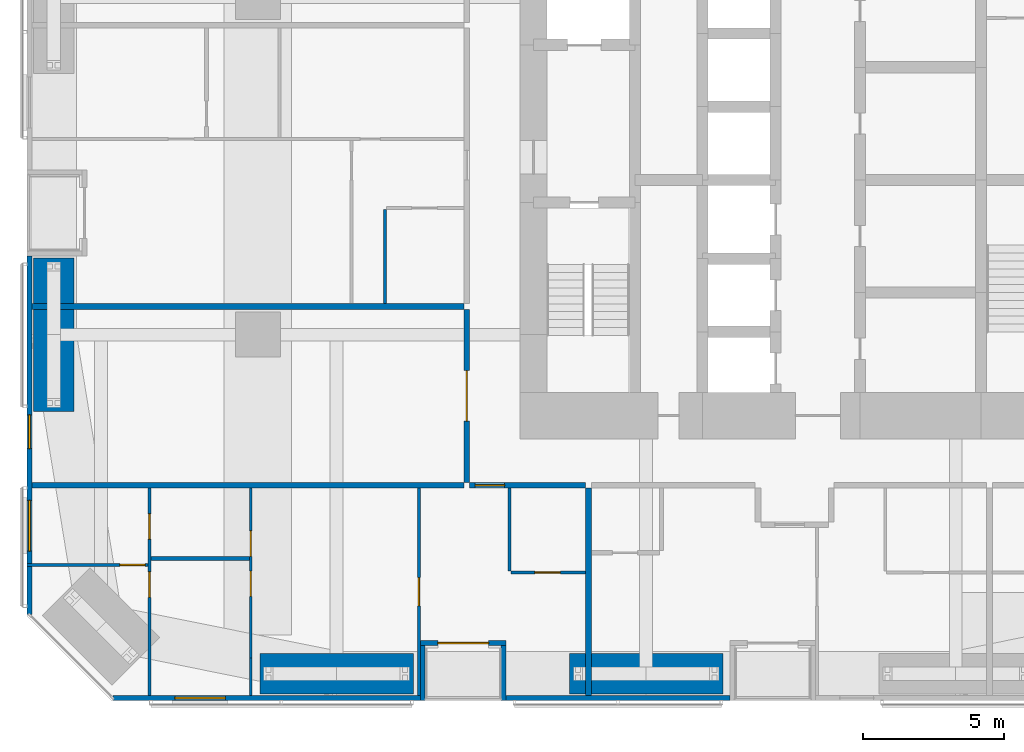
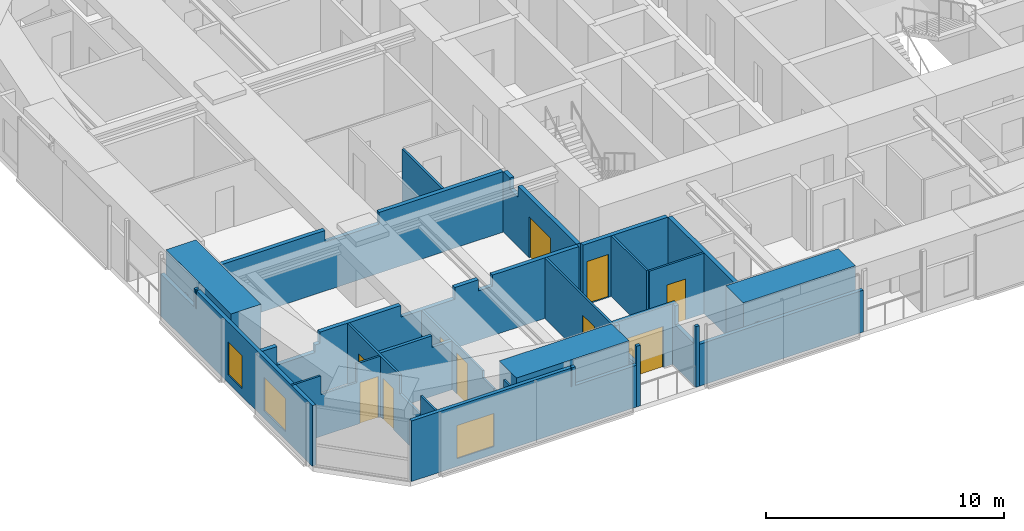
# One storey, part 16 of 23: 23 walls, 10 doors, 3 windows, 13 openings.
"""IFC4 building model written with IfcOpenShell, lengths in metres."""

from ifc_helpers import new_model, si_unit, direction, frame, frame_2d, origin, place, context, subcontext, project, spatial, polyline, rectangle, outline, extrude, material, layer, layer_set, constituent, constituent_set, type_object, element, fill, save


model = new_model("IFC4")

# Units and contexts
model_context = context("Model", 3, precision=1e-05, world=origin(), true_north=direction((0.0, 1.0)))
body_context = subcontext(model_context, "Body", "Model", "MODEL_VIEW")
ifc_project = project(units=[si_unit("LENGTHUNIT", "METRE"), si_unit("AREAUNIT", "SQUARE_METRE"), si_unit("VOLUMEUNIT", "CUBIC_METRE"), si_unit("PLANEANGLEUNIT", "RADIAN"), si_unit("MASSUNIT", "GRAM", prefix="KILO")], contexts=[model_context])

# Site, building, storey
site_placement = place(None, origin())
site = spatial("IfcSite", under=ifc_project, at=site_placement, CompositionType="ELEMENT")
building_placement = place(site_placement, origin())
building = spatial("IfcBuilding", under=site, at=building_placement, Name="Jalousie Tower", CompositionType="ELEMENT")
storey_placement = place(building_placement, frame((0.0, 0.0, 37.75)))
storey = spatial("IfcBuildingStorey", under=building, at=storey_placement, Name="L09", CompositionType="ELEMENT", Elevation=37.75)

# Wall
ifc_material_1 = material(Name="Concrete block ASTM C90", Category="concrete")
ifc_constituent_1 = constituent(ifc_material_1, Name="Body")
ifc_material_2 = material(Name="Render")
ifc_constituent_2 = constituent(ifc_material_2, Name="Finish")
ifc_constituent_set_1 = constituent_set(constituents=[ifc_constituent_1, ifc_constituent_2])
wall_type_1 = type_object("IfcWallType", Name="BATHROOM WALL 150", PredefinedType="PLUMBINGWALL", material=ifc_constituent_set_1)
wall_1_placement = place(storey_placement, frame((6.39990234375, 5.050048828125, 0.0), z_axis=(0.0, 0.0, 1.0), x_axis=(1.0, 0.0, 0.0)))
element("IfcWall", 1, at=wall_1_placement, inside=storey, type_object=wall_type_1, Name="Bathroom Wall 150 L09", PredefinedType="PLUMBINGWALL", context=body_context, shape_type="SweptSolid", body=[
    extrude(outline(polyline([(0.0, 0.0), (3.5, 0.0), (3.5, 3.110107421875), (3.5, 2.510009765625), (2.514892578125, 2.510009765625), (2.514892578125, 3.110107421875), (0.0, 3.110107421875), (0.0, 0.0)])), frame((0.0, 0.074951171875, 0.0), z_axis=(0.0, -1.0, 0.0), x_axis=(1.0, 0.0, 0.0)), (0.0, 0.0, 1.0), 0.14990234375),
])

# Wall, opening, door
ifc_material_3 = material(Name="Concrete block ASTM C90", Category="concrete")
ifc_constituent_3 = constituent(ifc_material_3, Name="Body")
ifc_material_4 = material(Name="Render")
ifc_constituent_4 = constituent(ifc_material_4, Name="Finish")
ifc_constituent_set_2 = constituent_set(constituents=[ifc_constituent_3, ifc_constituent_4])
wall_type_2 = type_object("IfcWallType", Name="CORRIDOR WALL 200", PredefinedType="PARTITIONING", material=ifc_constituent_set_2)
wall_2_placement = place(storey_placement, frame((17.72509765625, 7.64990234375, 0.0), z_axis=(0.0, 0.0, 1.0), x_axis=(1.0, 0.0, 0.0)))
wall_2 = element("IfcWall", 2, at=wall_2_placement, inside=storey, type_object=wall_type_2, Name="Corridor Wall 200 L09", PredefinedType="PARTITIONING", context=body_context, shape_type="SweptSolid", body=[
    extrude(rectangle(XDim=4.125, YDim=0.199951171875, at=frame_2d((2.0625, 0.0))), origin(), (0.0, 0.0, 1.0), 3.110107421875),
])
opening_1_placement = place(wall_2_placement, frame((0.199951171875, 0.0, 0.0)))
opening_1 = element("IfcOpeningElement", 3, at=opening_1_placement, cuts=wall_2, Name="Opening D1", PredefinedType="OPENING", context=body_context, shape_type="SweptSolid", body=[
    extrude(rectangle(XDim=1.050048828125, YDim=2.199951171875, at=frame_2d((0.52490234375, 1.10009765625))), frame((0.0, 0.10986328125, 0.0), z_axis=(0.0, -1.0, 0.0), x_axis=(1.0, 0.0, 0.0)), (0.0, 0.0, 1.0), 0.219970703125),
])
ifc_material_5 = material(Name="Timber fire door", Category="wood")
door_type_1 = type_object("IfcDoorType", Name="APARTMENT ENTRANCE DOOR 1050", OperationType="SINGLE_SWING_LEFT", PredefinedType="DOOR", material=ifc_material_5)
door_1_placement = place(opening_1_placement, frame((1.050048828125, 0.0, 0.0), z_axis=(0.0, 0.0, 1.0), x_axis=(-1.0, 0.0, 0.0)))
door_1 = element("IfcDoor", 4, at=door_1_placement, inside=storey, type_object=door_type_1, Name="Apartment 0901 entrance", OperationType="SINGLE_SWING_LEFT", OverallHeight=2.199951171875, OverallWidth=1.050048828125, PredefinedType="DOOR", context=body_context, shape_type="SweptSolid", body=[
    extrude(rectangle(XDim=1.050048828125, YDim=2.199951171875, at=frame_2d((0.52490234375, 1.10009765625))), frame((0.0, 0.02490234375, 0.0), z_axis=(0.0, -1.0, 0.0), x_axis=(1.0, 0.0, 0.0)), (0.0, 0.0, 1.0), 0.050048828125),
])
fill(opening_1, door_1)

wall_3_placement = place(storey_placement, frame((17.625, 7.75, 0.0), z_axis=(0.0, 0.0, 1.0), x_axis=(0.0, 1.0, 0.0)))
wall_3 = element("IfcWall", 5, at=wall_3_placement, inside=storey, type_object=wall_type_2, Name="Corridor Wall 200 L09", PredefinedType="PARTITIONING", context=body_context, shape_type="SweptSolid", body=[
    extrude(outline(polyline([(0.0, 0.0), (6.14990234375, 0.0), (6.14990234375, 3.110107421875), (5.58740234375, 3.110107421875), (5.58740234375, 2.541015625), (4.91259765625, 2.541015625), (4.91259765625, 3.110107421875), (0.0, 3.110107421875), (0.0, 0.0)])), frame((0.0, 0.10009765625, 0.0), z_axis=(0.0, -1.0, 0.0), x_axis=(1.0, 0.0, 0.0)), (0.0, 0.0, 1.0), 0.199951171875),
])
opening_2_placement = place(wall_3_placement, frame((2.175048828125, 0.0, 0.0)))
opening_2 = element("IfcOpeningElement", 6, at=opening_2_placement, cuts=wall_3, Name="Opening D22", PredefinedType="OPENING", context=body_context, shape_type="SweptSolid", body=[
    extrude(rectangle(XDim=1.800048828125, YDim=2.10009765625, at=frame_2d((0.89990234375, 1.050048828125))), frame((0.0, 0.10986328125, 0.0), z_axis=(0.0, -1.0, 0.0), x_axis=(1.0, 0.0, 0.0)), (0.0, 0.0, 1.0), 0.219970703125),
])
ifc_material_6 = material(Name="Timber fire door", Category="wood")
door_type_2 = type_object("IfcDoorType", Name="CORRIDOR DOUBLE DOOR 1800", OperationType="DOUBLE_DOOR_SINGLE_SWING", PredefinedType="DOOR", material=ifc_material_6)
door_2_placement = place(opening_2_placement, origin())
door_2 = element("IfcDoor", 7, at=door_2_placement, inside=storey, type_object=door_type_2, Name="Residents' co-working room door", OperationType="DOUBLE_DOOR_SINGLE_SWING", OverallHeight=2.10009765625, OverallWidth=1.800048828125, PredefinedType="DOOR", context=body_context, shape_type="SweptSolid", body=[
    extrude(rectangle(XDim=1.800048828125, YDim=2.10009765625, at=frame_2d((0.89990234375, 1.050048828125))), frame((0.0, 0.02490234375, 0.0), z_axis=(0.0, -1.0, 0.0), x_axis=(1.0, 0.0, 0.0)), (0.0, 0.0, 1.0), 0.050048828125),
])
fill(opening_2, door_2)

# Wall, opening, window
ifc_material_7 = material(Name="Concrete f'c 40 MPa", Category="concrete")
ifc_constituent_5 = constituent(ifc_material_7, Name="Body")
ifc_material_8 = material(Name="Render, pastel coral")
ifc_constituent_6 = constituent(ifc_material_8, Name="Finish")
ifc_constituent_set_3 = constituent_set(constituents=[ifc_constituent_5, ifc_constituent_6])
wall_type_3 = type_object("IfcWallType", Name="EXTERNAL WALL 175 CORAL RENDER", PredefinedType="SOLIDWALL", material=ifc_constituent_set_3)
wall_4_placement = place(storey_placement, frame((5.05126953125, 0.08740234375, 0.0), z_axis=(0.0, 0.0, 1.0), x_axis=(1.0, 0.0, 0.0)))
wall_4 = element("IfcWall", 8, at=wall_4_placement, inside=storey, type_object=wall_type_3, Name="External Wall 175 Coral Render L09", PredefinedType="SOLIDWALL", context=body_context, shape_type="SweptSolid", body=[
    extrude(outline(polyline([(0.0, 0.0), (10.923828125, 0.0), (10.923583984375, 2.14990234375), (7.94873046875, 2.14990234375), (7.94873046875, 3.110107421875), (7.79296875, 3.110107421875), (7.79296875, 2.14990234375), (7.74462890625, 2.14990234375), (7.74462890625, 3.110107421875), (0.0, 3.110107421875), (0.0, 0.0)])), frame((0.0, 0.08740234375, 0.0), z_axis=(0.0, -1.0, 0.0), x_axis=(1.0, 0.0, 0.0)), (0.0, 0.0, 1.0), 0.175048828125),
])
opening_3_placement = place(wall_4_placement, frame((2.19873046875, 0.0, 0.39990234375)))
opening_3 = element("IfcOpeningElement", 9, at=opening_3_placement, cuts=wall_4, Name="Opening W-BED170", PredefinedType="OPENING", context=body_context, shape_type="SweptSolid", body=[
    extrude(rectangle(XDim=1.800048828125, YDim=1.699951171875, at=frame_2d((0.89990234375, 0.85009765625))), frame((0.0, 0.097412109375, 0.0), z_axis=(0.0, -1.0, 0.0), x_axis=(1.0, 0.0, 0.0)), (0.0, 0.0, 1.0), 0.195068359375),
])
ifc_material_9 = material(Name="Aluminium frame, impact-rated glazing", Category="aluminium")
window_type_1 = type_object("IfcWindowType", Name="WINDOW BED 1800x1700", PartitioningType="SINGLE_PANEL", PredefinedType="WINDOW", material=ifc_material_9)
window_1_placement = place(opening_3_placement, origin())
window_1 = element("IfcWindow", 10, at=window_1_placement, inside=storey, type_object=window_type_1, Name="Apartment 0901 bedroom 2 window", OverallHeight=1.699951171875, OverallWidth=1.800048828125, PartitioningType="SINGLE_PANEL", PredefinedType="WINDOW", context=body_context, shape_type="SweptSolid", body=[
    extrude(rectangle(XDim=1.800048828125, YDim=1.699951171875, at=frame_2d((0.89990234375, 0.85009765625))), frame((0.0, 0.030029296875, 0.0), z_axis=(0.0, -1.0, 0.0), x_axis=(1.0, 0.0, 0.0)), (0.0, 0.0, 1.0), 0.06005859375),
])
fill(opening_3, window_1)

# Wall
wall_5_placement = place(storey_placement, frame((19.02490234375, 0.08740234375, 0.0), z_axis=(0.0, 0.0, 1.0), x_axis=(1.0, 0.0, 0.0)))
element("IfcWall", 11, at=wall_5_placement, inside=storey, type_object=wall_type_3, Name="External Wall 175 Coral Render L09", PredefinedType="SOLIDWALL", context=body_context, shape_type="SweptSolid", body=[
    extrude(rectangle(XDim=7.9501953125, YDim=0.175048828125, at=frame_2d((3.97509765625, 0.0))), origin(), (0.0, 0.0, 1.0), 2.14990234375),
])

# Wall, opening, door
wall_6_placement = place(storey_placement, frame((15.97509765625, 2.03759765625, 0.0), z_axis=(0.0, 0.0, 1.0), x_axis=(1.0, 0.0, 0.0)))
wall_6 = element("IfcWall", 12, at=wall_6_placement, inside=storey, type_object=wall_type_3, Name="External Wall 175 Coral Render L09", PredefinedType="SOLIDWALL", context=body_context, shape_type="SweptSolid", body=[
    extrude(rectangle(XDim=3.0498046875, YDim=0.175048828125, at=frame_2d((1.52490234375, 0.0))), origin(), (0.0, 0.0, 1.0), 3.110107421875),
])
opening_4_placement = place(wall_6_placement, frame((0.625, 0.0, 0.0)))
opening_4 = element("IfcOpeningElement", 13, at=opening_4_placement, cuts=wall_6, Name="Opening D-BAL21", PredefinedType="OPENING", context=body_context, shape_type="SweptSolid", body=[
    extrude(rectangle(XDim=1.800048828125, YDim=2.10009765625, at=frame_2d((0.89990234375, 1.050048828125))), frame((0.0, 0.097412109375, 0.0), z_axis=(0.0, -1.0, 0.0), x_axis=(1.0, 0.0, 0.0)), (0.0, 0.0, 1.0), 0.195068359375),
])
ifc_material_10 = material(Name="Aluminium frame, impact-rated glazing", Category="aluminium")
door_type_3 = type_object("IfcDoorType", Name="BALCONY DOOR 1800x2100", OperationType="SLIDING_TO_LEFT", PredefinedType="DOOR", material=ifc_material_10)
door_3_placement = place(opening_4_placement, origin())
door_3 = element("IfcDoor", 14, at=door_3_placement, inside=storey, type_object=door_type_3, Name="Apartment 0901 living room loggia door", OperationType="SLIDING_TO_LEFT", OverallHeight=2.10009765625, OverallWidth=1.800048828125, PredefinedType="DOOR", context=body_context, shape_type="SweptSolid", body=[
    extrude(rectangle(XDim=1.800048828125, YDim=2.10009765625, at=frame_2d((0.89990234375, 1.050048828125))), frame((0.0, 0.02490234375, 0.0), z_axis=(0.0, -1.0, 0.0), x_axis=(1.0, 0.0, 0.0)), (0.0, 0.0, 1.0), 0.050048828125),
])
fill(opening_4, door_3)

# Walls
for number, where, z_axis, x_axis, name in (
    (15, (16.0625, 0.0, 0.0), (0.0, 0.0, 1.0), (0.0, 1.0, 0.0), "External Wall 175 Coral Render L09"),
    (16, (18.9375, 0.0, 0.0), (0.0, 0.0, 1.0), (0.0, 1.0, 0.0), "External Wall 175 Coral Render L09"),
):
    element("IfcWall", number, at=place(storey_placement, frame(where, z_axis=z_axis, x_axis=x_axis)), inside=storey, type_object=wall_type_3, Name=name, PredefinedType="SOLIDWALL", context=body_context, shape_type="SweptSolid", body=[
        extrude(outline(polyline([(0.0, 0.0), (1.949951171875, 0.0), (1.949951171875, 3.110107421875), (1.75, 3.110107421875), (1.75, 2.14990234375), (0.14990234375, 2.14990234375), (0.14990234375, 3.110107421875), (0.0, 3.110107421875), (0.0, 0.0)])), frame((0.0, 0.08740234375, 0.0), z_axis=(0.0, -1.0, 0.0), x_axis=(1.0, 0.0, 0.0)), (0.0, 0.0, 1.0), 0.175048828125),
    ])

# Wall, openings, windows
wall_7_placement = place(storey_placement, frame((2.08740234375, 15.800048828125, 0.0), z_axis=(0.0, 0.0, 1.0), x_axis=(0.0, -1.0, 0.0)))
wall_7 = element("IfcWall", 17, at=wall_7_placement, inside=storey, type_object=wall_type_3, Name="External Wall 175 Coral Render L09", PredefinedType="SOLIDWALL", context=body_context, shape_type="SweptSolid", body=[
    extrude(outline(polyline([(0.0, 0.0), (12.748779296875, 0.0), (12.748779296875, 3.110107421875), (3.0185546875, 3.110107421875), (3.0185546875, 2.14990234375), (2.92578125, 2.14990234375), (2.92578125, 3.110107421875), (2.800048828125, 3.110107421875), (2.800048828125, 2.14990234375), (0.0, 2.14990234375), (0.0, 0.0)])), frame((0.0, 0.08740234375, 0.0), z_axis=(0.0, -1.0, 0.0), x_axis=(1.0, 0.0, 0.0)), (0.0, 0.0, 1.0), 0.175048828125),
])
opening_5_placement = place(wall_7_placement, frame((5.64990234375, 0.0, 0.39990234375)))
opening_5 = element("IfcOpeningElement", 18, at=opening_5_placement, cuts=wall_7, Name="Opening W-COR170", PredefinedType="OPENING", context=body_context, shape_type="SweptSolid", body=[
    extrude(rectangle(XDim=1.199951171875, YDim=1.699951171875, at=frame_2d((0.60009765625, 0.85009765625))), frame((0.0, 0.097412109375, 0.0), z_axis=(0.0, -1.0, 0.0), x_axis=(1.0, 0.0, 0.0)), (0.0, 0.0, 1.0), 0.195068359375),
])
opening_6_placement = place(wall_7_placement, frame((8.69140625, 0.0, 0.39990234375)))
opening_6 = element("IfcOpeningElement", 19, at=opening_6_placement, cuts=wall_7, Name="Opening W-BED170", PredefinedType="OPENING", context=body_context, shape_type="SweptSolid", body=[
    extrude(rectangle(XDim=1.800048828125, YDim=1.699951171875, at=frame_2d((0.89990234375, 0.85009765625))), frame((0.0, 0.097412109375, 0.0), z_axis=(0.0, -1.0, 0.0), x_axis=(1.0, 0.0, 0.0)), (0.0, 0.0, 1.0), 0.195068359375),
])
window_2_placement = place(opening_6_placement, origin())
window_2 = element("IfcWindow", 20, at=window_2_placement, inside=storey, type_object=window_type_1, Name="Apartment 0901 bedroom 1 window", OverallHeight=1.699951171875, OverallWidth=1.800048828125, PartitioningType="SINGLE_PANEL", PredefinedType="WINDOW", context=body_context, shape_type="SweptSolid", body=[
    extrude(rectangle(XDim=1.800048828125, YDim=1.699951171875, at=frame_2d((0.89990234375, 0.85009765625))), frame((0.0, 0.030029296875, 0.0), z_axis=(0.0, -1.0, 0.0), x_axis=(1.0, 0.0, 0.0)), (0.0, 0.0, 1.0), 0.06005859375),
])
fill(opening_6, window_2)
ifc_material_11 = material(Name="Aluminium frame, impact-rated glazing", Category="aluminium")
window_type_2 = type_object("IfcWindowType", Name="WINDOW COR 1200x1700", PartitioningType="SINGLE_PANEL", PredefinedType="WINDOW", material=ifc_material_11)
window_3_placement = place(opening_5_placement, origin())
window_3 = element("IfcWindow", 21, at=window_3_placement, inside=storey, type_object=window_type_2, Name="Residents' co-working room window", OverallHeight=1.699951171875, OverallWidth=1.199951171875, PartitioningType="SINGLE_PANEL", PredefinedType="WINDOW", context=body_context, shape_type="SweptSolid", body=[
    extrude(rectangle(XDim=1.199951171875, YDim=1.699951171875, at=frame_2d((0.60009765625, 0.85009765625))), frame((0.0, 0.030029296875, 0.0), z_axis=(0.0, -1.0, 0.0), x_axis=(1.0, 0.0, 0.0)), (0.0, 0.0, 1.0), 0.06005859375),
])
fill(opening_5, window_3)

# Wall, openings, doors
ifc_material_12 = material(Name="Gypsum board", Category="gypsum")
ifc_constituent_7 = constituent(ifc_material_12, Name="Body")
ifc_material_13 = material(Name="Light-gauge steel studs ASTM A653 SS Grade 33", Category="steel")
ifc_constituent_8 = constituent(ifc_material_13, Name="Framing")
ifc_constituent_set_4 = constituent_set(constituents=[ifc_constituent_7, ifc_constituent_8])
wall_type_4 = type_object("IfcWallType", Name="PARTITION 100", PredefinedType="PARTITIONING", material=ifc_constituent_set_4)
wall_8_placement = place(storey_placement, frame((6.35009765625, 0.175048828125, 0.0), z_axis=(0.0, 0.0, 1.0), x_axis=(0.0, 1.0, 0.0)))
wall_8 = element("IfcWall", 22, at=wall_8_placement, inside=storey, type_object=wall_type_4, Name="Partition 100 L09", PredefinedType="PARTITIONING", context=body_context, shape_type="SweptSolid", body=[
    extrude(outline(polyline([(0.0, 0.0), (7.375, 0.0), (7.375, 3.110107421875), (2.98828125, 3.110107421875), (2.98828125, 2.14990234375), (1.23388671875, 2.14990234375), (1.23388671875, 3.110107421875), (0.0, 3.110107421875), (0.0, 0.0)])), frame((0.0, 0.050048828125, 0.0), z_axis=(0.0, -1.0, 0.0), x_axis=(1.0, 0.0, 0.0)), (0.0, 0.0, 1.0), 0.10009765625),
])
opening_7_placement = place(wall_8_placement, frame((3.492431640625, 0.0, 0.0)))
opening_7 = element("IfcOpeningElement", 23, at=opening_7_placement, cuts=wall_8, Name="Opening D2", PredefinedType="OPENING", context=body_context, shape_type="SweptSolid", body=[
    extrude(rectangle(XDim=0.89990234375, YDim=2.10009765625, at=frame_2d((0.449951171875, 1.050048828125))), frame((0.0, 0.06005859375, 0.0), z_axis=(0.0, -1.0, 0.0), x_axis=(1.0, 0.0, 0.0)), (0.0, 0.0, 1.0), 0.1201171875),
])
opening_8_placement = place(wall_8_placement, frame((5.55859375, 0.0, 0.0)))
opening_8 = element("IfcOpeningElement", 24, at=opening_8_placement, cuts=wall_8, Name="Opening D3", PredefinedType="OPENING", context=body_context, shape_type="SweptSolid", body=[
    extrude(rectangle(XDim=0.89990234375, YDim=2.10009765625, at=frame_2d((0.449951171875, 1.050048828125))), frame((0.0, 0.06005859375, 0.0), z_axis=(0.0, -1.0, 0.0), x_axis=(1.0, 0.0, 0.0)), (0.0, 0.0, 1.0), 0.1201171875),
])
ifc_material_14 = material(Name="Timber door", Category="wood")
door_type_4 = type_object("IfcDoorType", Name="BATHROOM DOOR 900", OperationType="SINGLE_SWING_LEFT", PredefinedType="DOOR", material=ifc_material_14)
door_4_placement = place(opening_8_placement, frame((0.89990234375, 0.0, 0.0), z_axis=(0.0, 0.0, 1.0), x_axis=(-1.0, 0.0, 0.0)))
door_4 = element("IfcDoor", 25, at=door_4_placement, inside=storey, type_object=door_type_4, Name="Apartment 0901 bedroom 1 bathroom door", OperationType="SINGLE_SWING_RIGHT", OverallHeight=2.10009765625, OverallWidth=0.89990234375, PredefinedType="DOOR", context=body_context, shape_type="SweptSolid", body=[
    extrude(rectangle(XDim=0.89990234375, YDim=2.10009765625, at=frame_2d((0.449951171875, 1.050048828125))), frame((0.0, 0.02490234375, 0.0), z_axis=(0.0, -1.0, 0.0), x_axis=(1.0, 0.0, 0.0)), (0.0, 0.0, 1.0), 0.050048828125),
])
fill(opening_8, door_4)
ifc_material_15 = material(Name="Timber door", Category="wood")
door_type_5 = type_object("IfcDoorType", Name="BEDROOM DOOR 900", OperationType="SINGLE_SWING_LEFT", PredefinedType="DOOR", material=ifc_material_15)
door_5_placement = place(opening_7_placement, frame((0.89990234375, 0.0, 0.0), z_axis=(0.0, 0.0, 1.0), x_axis=(-1.0, 0.0, 0.0)))
door_5 = element("IfcDoor", 26, at=door_5_placement, inside=storey, type_object=door_type_5, Name="Apartment 0901 bedroom 1 door", OperationType="SINGLE_SWING_LEFT", OverallHeight=2.10009765625, OverallWidth=0.89990234375, PredefinedType="DOOR", context=body_context, shape_type="SweptSolid", body=[
    extrude(rectangle(XDim=0.89990234375, YDim=2.10009765625, at=frame_2d((0.449951171875, 1.050048828125))), frame((0.0, 0.02490234375, 0.0), z_axis=(0.0, -1.0, 0.0), x_axis=(1.0, 0.0, 0.0)), (0.0, 0.0, 1.0), 0.050048828125),
])
fill(opening_7, door_5)

# Wall
wall_9_placement = place(storey_placement, frame((9.949951171875, 0.175048828125, 0.0), z_axis=(0.0, 0.0, 1.0), x_axis=(0.0, 1.0, 0.0)))
element("IfcWall", 27, at=wall_9_placement, inside=storey, type_object=wall_type_4, Name="Partition 100 L09-A", PredefinedType="PARTITIONING", context=body_context, shape_type="SweptSolid", body=[
    extrude(outline(polyline([(0.0, 0.0), (1.337646484375, 0.0), (1.337646484375, 2.14990234375), (0.510498046875, 2.14990234375), (0.510498046875, 3.110107421875), (0.0, 3.110107421875), (0.0, 0.0)])), frame((0.0, 0.050048828125, 0.0), z_axis=(0.0, -1.0, 0.0), x_axis=(1.0, 0.0, 0.0)), (0.0, 0.0, 1.0), 0.10009765625),
])

# Wall, openings, doors
wall_10_placement = place(storey_placement, frame((9.949951171875, 1.5126953125, 0.0), z_axis=(0.0, 0.0, 1.0), x_axis=(0.0, 1.0, 0.0)))
wall_10 = element("IfcWall", 28, at=wall_10_placement, inside=storey, type_object=wall_type_4, Name="Partition 100 L09-B", PredefinedType="PARTITIONING", context=body_context, shape_type="SweptSolid", body=[
    extrude(outline(polyline([(0.0, 0.0), (6.037353515625, 0.0), (6.037353515625, 2.510009765625), (0.927490234375, 2.510009765625), (0.927490234375, 2.14990234375), (0.0, 2.14990234375), (0.0, 0.0)])), frame((0.0, 0.050048828125, 0.0), z_axis=(0.0, -1.0, 0.0), x_axis=(1.0, 0.0, 0.0)), (0.0, 0.0, 1.0), 0.10009765625),
])
opening_9_placement = place(wall_10_placement, frame((2.1875, 0.0, 0.0)))
opening_9 = element("IfcOpeningElement", 29, at=opening_9_placement, cuts=wall_10, Name="Opening D2", PredefinedType="OPENING", context=body_context, shape_type="SweptSolid", body=[
    extrude(rectangle(XDim=0.89990234375, YDim=2.10009765625, at=frame_2d((0.449951171875, 1.050048828125))), frame((0.0, 0.06005859375, 0.0), z_axis=(0.0, -1.0, 0.0), x_axis=(1.0, 0.0, 0.0)), (0.0, 0.0, 1.0), 0.1201171875),
])
opening_10_placement = place(wall_10_placement, frame((3.6123046875, 0.0, 0.0)))
opening_10 = element("IfcOpeningElement", 30, at=opening_10_placement, cuts=wall_10, Name="Opening D7", PredefinedType="OPENING", context=body_context, shape_type="SweptSolid", body=[
    extrude(rectangle(XDim=0.89990234375, YDim=2.10009765625, at=frame_2d((0.449951171875, 1.050048828125))), frame((0.0, 0.06005859375, 0.0), z_axis=(0.0, -1.0, 0.0), x_axis=(1.0, 0.0, 0.0)), (0.0, 0.0, 1.0), 0.1201171875),
])
door_6_placement = place(opening_9_placement, origin())
door_6 = element("IfcDoor", 31, at=door_6_placement, inside=storey, type_object=door_type_5, Name="Apartment 0901 bedroom 2 door", OperationType="SINGLE_SWING_RIGHT", OverallHeight=2.10009765625, OverallWidth=0.89990234375, PredefinedType="DOOR", context=body_context, shape_type="SweptSolid", body=[
    extrude(rectangle(XDim=0.89990234375, YDim=2.10009765625, at=frame_2d((0.449951171875, 1.050048828125))), frame((0.0, 0.02490234375, 0.0), z_axis=(0.0, -1.0, 0.0), x_axis=(1.0, 0.0, 0.0)), (0.0, 0.0, 1.0), 0.050048828125),
])
fill(opening_9, door_6)
ifc_material_16 = material(Name="Timber door", Category="wood")
door_type_6 = type_object("IfcDoorType", Name="INTERNAL DOOR 900", OperationType="SINGLE_SWING_LEFT", PredefinedType="DOOR", material=ifc_material_16)
door_7_placement = place(opening_10_placement, origin())
door_7 = element("IfcDoor", 32, at=door_7_placement, inside=storey, type_object=door_type_6, Name="Apartment 0901 bathroom door", OperationType="SINGLE_SWING_LEFT", OverallHeight=2.10009765625, OverallWidth=0.89990234375, PredefinedType="DOOR", context=body_context, shape_type="SweptSolid", body=[
    extrude(rectangle(XDim=0.89990234375, YDim=2.10009765625, at=frame_2d((0.449951171875, 1.050048828125))), frame((0.0, 0.02490234375, 0.0), z_axis=(0.0, -1.0, 0.0), x_axis=(1.0, 0.0, 0.0)), (0.0, 0.0, 1.0), 0.050048828125),
])
fill(opening_10, door_7)

# Wall, opening, door
wall_11_placement = place(storey_placement, frame((2.0, 4.8173828125, 0.0), z_axis=(0.0, 0.0, 1.0), x_axis=(1.0, 0.0, 0.0)))
wall_11 = element("IfcWall", 33, at=wall_11_placement, inside=storey, type_object=wall_type_4, Name="Partition 100 L09", PredefinedType="PARTITIONING", context=body_context, shape_type="SweptSolid", body=[
    extrude(outline(polyline([(0.0, 0.0), (4.300048828125, 0.0), (4.300048828125, 3.110107421875), (3.148193359375, 3.110107421875), (3.148193359375, 2.14990234375), (1.40576171875, 2.14990234375), (1.40576171875, 3.110107421875), (0.0, 3.110107421875), (0.0, 0.0)])), frame((0.0, 0.050048828125, 0.0), z_axis=(0.0, -1.0, 0.0), x_axis=(1.0, 0.0, 0.0)), (0.0, 0.0, 1.0), 0.10009765625),
])
opening_11_placement = place(wall_11_placement, frame((3.300048828125, 0.0, 0.0)))
opening_11 = element("IfcOpeningElement", 34, at=opening_11_placement, cuts=wall_11, Name="Opening D7", PredefinedType="OPENING", context=body_context, shape_type="SweptSolid", body=[
    extrude(rectangle(XDim=0.89990234375, YDim=2.10009765625, at=frame_2d((0.449951171875, 1.050048828125))), frame((0.0, 0.06005859375, 0.0), z_axis=(0.0, -1.0, 0.0), x_axis=(1.0, 0.0, 0.0)), (0.0, 0.0, 1.0), 0.1201171875),
])
door_8_placement = place(opening_11_placement, origin())
door_8 = element("IfcDoor", 35, at=door_8_placement, inside=storey, type_object=door_type_6, Name="Apartment 0901 bedroom 1 dressing hall door", OperationType="SINGLE_SWING_RIGHT", OverallHeight=2.10009765625, OverallWidth=0.89990234375, PredefinedType="DOOR", context=body_context, shape_type="SweptSolid", body=[
    extrude(rectangle(XDim=0.89990234375, YDim=2.10009765625, at=frame_2d((0.449951171875, 1.050048828125))), frame((0.0, 0.02490234375, 0.0), z_axis=(0.0, -1.0, 0.0), x_axis=(1.0, 0.0, 0.0)), (0.0, 0.0, 1.0), 0.050048828125),
])
fill(opening_11, door_8)

wall_12_placement = place(storey_placement, frame((19.199951171875, 4.550048828125, 0.0), z_axis=(0.0, 0.0, 1.0), x_axis=(1.0, 0.0, 0.0)))
wall_12 = element("IfcWall", 36, at=wall_12_placement, inside=storey, type_object=wall_type_4, Name="Partition 100 L09", PredefinedType="PARTITIONING", context=body_context, shape_type="SweptSolid", body=[
    extrude(rectangle(XDim=2.650146484375, YDim=0.10009765625, at=frame_2d((1.3251953125, 0.0))), origin(), (0.0, 0.0, 1.0), 3.110107421875),
])
opening_12_placement = place(wall_12_placement, frame((0.85009765625, 0.0, 0.0)))
opening_12 = element("IfcOpeningElement", 37, at=opening_12_placement, cuts=wall_12, Name="Opening D7", PredefinedType="OPENING", context=body_context, shape_type="SweptSolid", body=[
    extrude(rectangle(XDim=0.89990234375, YDim=2.10009765625, at=frame_2d((0.449951171875, 1.050048828125))), frame((0.0, 0.06005859375, 0.0), z_axis=(0.0, -1.0, 0.0), x_axis=(1.0, 0.0, 0.0)), (0.0, 0.0, 1.0), 0.1201171875),
])
door_9_placement = place(opening_12_placement, origin())
door_9 = element("IfcDoor", 38, at=door_9_placement, inside=storey, type_object=door_type_6, Name="Apartment 0901 kitchen door", OperationType="SINGLE_SWING_LEFT", OverallHeight=2.10009765625, OverallWidth=0.89990234375, PredefinedType="DOOR", context=body_context, shape_type="SweptSolid", body=[
    extrude(rectangle(XDim=0.89990234375, YDim=2.10009765625, at=frame_2d((0.449951171875, 1.050048828125))), frame((0.0, 0.02490234375, 0.0), z_axis=(0.0, -1.0, 0.0), x_axis=(1.0, 0.0, 0.0)), (0.0, 0.0, 1.0), 0.050048828125),
])
fill(opening_12, door_9)

# Wall
wall_13_placement = place(storey_placement, frame((19.14990234375, 4.60009765625, 0.0), z_axis=(0.0, 0.0, 1.0), x_axis=(0.0, 1.0, 0.0)))
element("IfcWall", 39, at=wall_13_placement, inside=storey, type_object=wall_type_4, Name="Partition 100 L09", PredefinedType="PARTITIONING", context=body_context, shape_type="SweptSolid", body=[
    extrude(rectangle(XDim=2.949951171875, YDim=0.10009765625, at=frame_2d((1.47509765625, 0.0))), origin(), (0.0, 0.0, 1.0), 3.110107421875),
])

# Wall, opening, door
wall_14_placement = place(storey_placement, frame((15.925048828125, 0.175048828125, 0.0), z_axis=(0.0, 0.0, 1.0), x_axis=(0.0, 1.0, 0.0)))
wall_14 = element("IfcWall", 40, at=wall_14_placement, inside=storey, type_object=wall_type_4, Name="Partition 100 L09", PredefinedType="PARTITIONING", context=body_context, shape_type="SweptSolid", body=[
    extrude(outline(polyline([(0.0, 0.0), (7.375, 0.0), (7.375, 3.110107421875), (1.635009765625, 3.110107421875), (1.635009765625, 2.14990234375), (0.0, 2.14990234375), (0.0, 3.110107421875), (0.0, 0.0)])), frame((0.0, 0.050048828125, 0.0), z_axis=(0.0, -1.0, 0.0), x_axis=(1.0, 0.0, 0.0)), (0.0, 0.0, 1.0), 0.10009765625),
])
opening_13_placement = place(wall_14_placement, frame((3.1875, 0.0, 0.0)))
opening_13 = element("IfcOpeningElement", 41, at=opening_13_placement, cuts=wall_14, Name="Opening D6", PredefinedType="OPENING", context=body_context, shape_type="SweptSolid", body=[
    extrude(rectangle(XDim=1.0, YDim=2.10009765625, at=frame_2d((0.5, 1.050048828125))), frame((0.0, 0.06005859375, 0.0), z_axis=(0.0, -1.0, 0.0), x_axis=(1.0, 0.0, 0.0)), (0.0, 0.0, 1.0), 0.1201171875),
])
ifc_material_17 = material(Name="Timber door", Category="wood")
door_type_7 = type_object("IfcDoorType", Name="INTERNAL DOOR 1000", OperationType="SINGLE_SWING_LEFT", PredefinedType="DOOR", material=ifc_material_17)
door_10_placement = place(opening_13_placement, origin())
door_10 = element("IfcDoor", 42, at=door_10_placement, inside=storey, type_object=door_type_7, Name="Apartment 0901 dining room door", OperationType="SINGLE_SWING_LEFT", OverallHeight=2.10009765625, OverallWidth=1.0, PredefinedType="DOOR", context=body_context, shape_type="SweptSolid", body=[
    extrude(rectangle(XDim=1.0, YDim=2.10009765625, at=frame_2d((0.5, 1.050048828125))), frame((0.0, 0.02490234375, 0.0), z_axis=(0.0, -1.0, 0.0), x_axis=(1.0, 0.0, 0.0)), (0.0, 0.0, 1.0), 0.050048828125),
])
fill(opening_13, door_10)

# Walls
wall_15_placement = place(storey_placement, frame((14.72509765625, 14.10009765625, 0.0), z_axis=(0.0, 0.0, 1.0), x_axis=(0.0, 1.0, 0.0)))
element("IfcWall", 43, at=wall_15_placement, inside=storey, type_object=wall_type_4, Name="Partition 100 L09", PredefinedType="PARTITIONING", context=body_context, shape_type="SweptSolid", body=[
    extrude(rectangle(XDim=3.349853515625, YDim=0.10009765625, at=frame_2d((1.6748046875, 0.0))), origin(), (0.0, 0.0, 1.0), 3.110107421875),
])
ifc_material_18 = material(Name="Concrete block ASTM C90", Category="concrete")
ifc_constituent_9 = constituent(ifc_material_18, Name="Body")
ifc_material_19 = material(Name="Render")
ifc_constituent_10 = constituent(ifc_material_19, Name="Finish")
ifc_constituent_set_5 = constituent_set(constituents=[ifc_constituent_9, ifc_constituent_10])
wall_type_5 = type_object("IfcWallType", Name="PARTY WALL 200", PredefinedType="PARTITIONING", material=ifc_constituent_set_5)
wall_16_placement = place(storey_placement, frame((21.949951171875, 0.175048828125, 0.0), z_axis=(0.0, 0.0, 1.0), x_axis=(0.0, 1.0, 0.0)))
element("IfcWall", 44, at=wall_16_placement, inside=storey, type_object=wall_type_5, Name="Party Wall 200 L09", PredefinedType="PARTITIONING", context=body_context, shape_type="SweptSolid", body=[
    extrude(outline(polyline([(0.52880859375, 2.14990234375), (0.0, 2.14990234375), (0.0, 0.0), (0.52880859375, 0.0), (0.52880859375, 0.090087890625), (1.021240234375, 0.090087890625), (1.021240234375, 0.0), (7.375, 0.0), (7.375, 3.110107421875), (1.68505859375, 3.110107421875), (1.68505859375, 2.14990234375), (1.021240234375, 2.14990234375), (1.021240234375, 2.06005859375), (0.52880859375, 2.06005859375), (0.52880859375, 2.14990234375)])), frame((0.0, 0.10009765625, 0.0), z_axis=(0.0, -1.0, 0.0), x_axis=(1.0, 0.0, 0.0)), (0.0, 0.0, 1.0), 0.199951171875),
])
wall_17_placement = place(storey_placement, frame((2.0, 7.64990234375, 0.0), z_axis=(0.0, 0.0, 1.0), x_axis=(1.0, 0.0, 0.0)))
element("IfcWall", 45, at=wall_17_placement, inside=storey, type_object=wall_type_5, Name="Party Wall 200 L09", PredefinedType="PARTITIONING", context=body_context, shape_type="SweptSolid", body=[
    extrude(outline(polyline([(0.0, 0.0), (15.52490234375, 0.0), (15.52490234375, 3.110107421875), (11.33740234375, 3.110107421875), (11.33740234375, 2.541015625), (10.66259765625, 2.541015625), (10.66259765625, 3.110107421875), (9.510009765625, 3.110107421875), (9.510009765625, 2.510009765625), (6.889892578125, 2.510009765625), (6.889892578125, 3.110107421875), (2.96875, 3.110107421875), (2.96875, 2.541015625), (2.739501953125, 2.541015625), (2.739501953125, 2.14990234375), (0.895751953125, 2.14990234375), (0.895751953125, 3.110107421875), (0.0, 3.110107421875), (0.0, 0.0)])), frame((0.0, 0.10009765625, 0.0), z_axis=(0.0, -1.0, 0.0), x_axis=(1.0, 0.0, 0.0)), (0.0, 0.0, 1.0), 0.199951171875),
])
wall_18_placement = place(storey_placement, frame((2.175048828125, 14.0, 0.0), z_axis=(0.0, 0.0, 1.0), x_axis=(1.0, 0.0, 0.0)))
element("IfcWall", 46, at=wall_18_placement, inside=storey, type_object=wall_type_5, Name="Party Wall 200 L09", PredefinedType="PARTITIONING", context=body_context, shape_type="SweptSolid", body=[
    extrude(outline(polyline([(0.52880859375, 2.14990234375), (0.0, 2.14990234375), (0.0, 0.0), (0.52880859375, 0.0), (0.52880859375, 0.815185546875), (1.021240234375, 0.815185546875), (1.021240234375, 0.0), (15.35009765625, 0.0), (15.35009765625, 3.110107421875), (9.3349609375, 3.110107421875), (9.3349609375, 2.510009765625), (6.715087890625, 2.510009765625), (6.715087890625, 3.110107421875), (1.68505859375, 3.110107421875), (1.68505859375, 2.14990234375), (1.021240234375, 2.14990234375), (1.021240234375, 1.334716796875), (0.52880859375, 1.334716796875), (0.52880859375, 2.14990234375)])), frame((0.0, 0.10009765625, 0.0), z_axis=(0.0, -1.0, 0.0), x_axis=(1.0, 0.0, 0.0)), (0.0, 0.0, 1.0), 0.199951171875),
])
ifc_material_20 = material(Name="Concrete f'c 120 MPa", Category="concrete")
ifc_layer = layer(ifc_material_20, 1.449951171875)
ifc_layer_set = layer_set([ifc_layer], Name="Concrete f'c 120 MPa")
wall_type_6 = type_object("IfcWallType", Name="RC WALL PIER 1450", PredefinedType="SHEAR", material=ifc_layer_set)
for number, where, z_axis, x_axis, name in (
    (47, (10.27490234375, 0.949951171875, 0.0), (0.0, 0.0, 1.0), (1.0, 0.0, 0.0), "Wall pier 02 L09"),
    (48, (21.27490234375, 0.949951171875, 0.0), (0.0, 0.0, 1.0), (1.0, 0.0, 0.0), "Wall pier 03 L09"),
    (49, (2.949951171875, 10.27490234375, 0.0), (0.0, 0.0, 1.0), (0.0, 1.0, 0.0), "Wall pier 14 L09"),
):
    element("IfcWall", number, at=place(storey_placement, frame(where, z_axis=z_axis, x_axis=x_axis)), inside=storey, type_object=wall_type_6, Name=name, PredefinedType="SHEAR", context=body_context, shape_type="SweptSolid", body=[
        extrude(rectangle(XDim=5.4501953125, YDim=1.449951171875, at=frame_2d((2.72509765625, 0.0))), origin(), (0.0, 0.0, 1.0), 3.35009765625),
    ])

save(model, "model.ifc")
